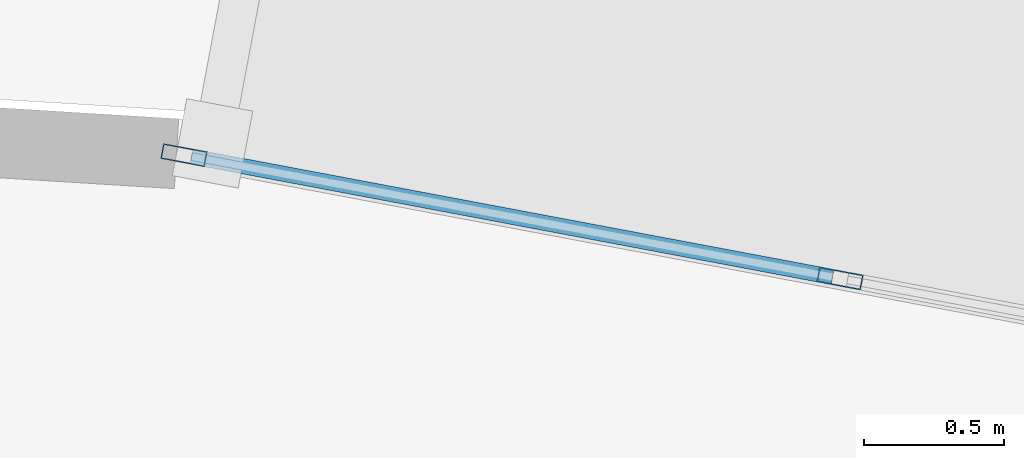
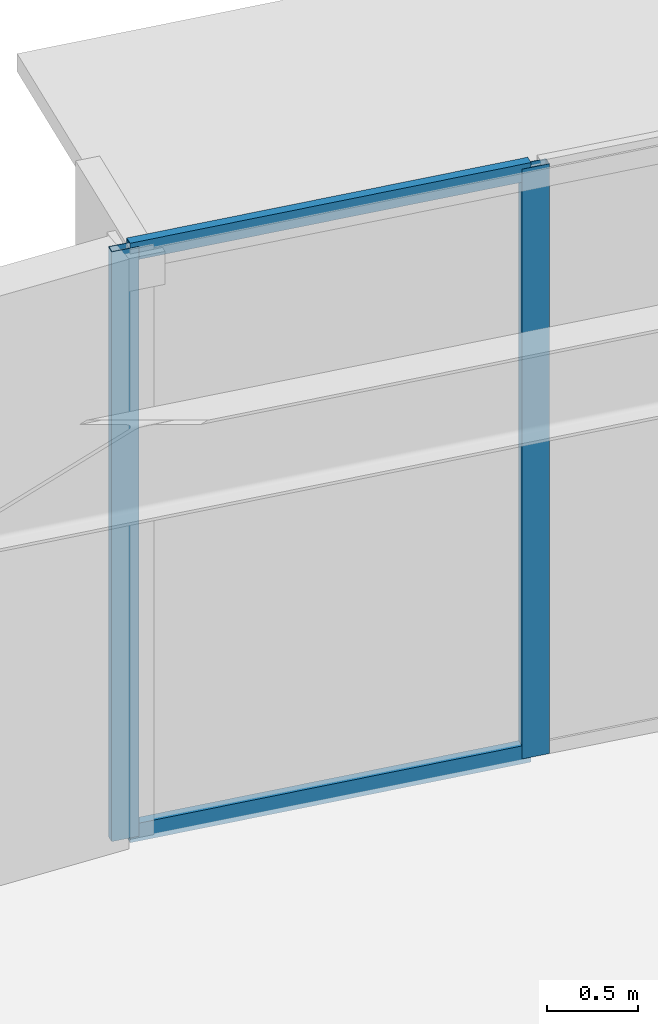
# One storey, part 14 of 35: 4 members, 1 element without a shape of its own.
"""IFC4 building model written with IfcOpenShell, lengths in metres."""

from ifc_helpers import new_model, si_unit, direction, frame, origin, origin_2d, place, context, subcontext, project, spatial, hollow_rectangle, extrude, source, transform, mapped, material, layer, layer_set, material_profile, profile_set, type_object, element, aggregate, save


model = new_model("IFC4")

# Units and contexts
model_context = context("Model", 3, precision=1e-05, world=origin(), true_north=direction((0.0, 1.0)))
body_context = subcontext(model_context, "Body", "Model", "MODEL_VIEW")
ifc_project = project(units=[si_unit("LENGTHUNIT", "METRE"), si_unit("AREAUNIT", "SQUARE_METRE"), si_unit("VOLUMEUNIT", "CUBIC_METRE"), si_unit("PLANEANGLEUNIT", "RADIAN"), si_unit("MASSUNIT", "GRAM", prefix="KILO")], contexts=[model_context])

# Site, building, storey
site_placement = place(None, origin())
site = spatial("IfcSite", under=ifc_project, at=site_placement, CompositionType="ELEMENT")
building_placement = place(site_placement, origin())
building = spatial("IfcBuilding", under=site, at=building_placement, Name="Linh Dai School and Residence Tower", CompositionType="ELEMENT")
storey_placement = place(building_placement, frame((0.0, 0.0, 32.39990234375)))
storey = spatial("IfcBuildingStorey", under=building, at=storey_placement, Name="L07", CompositionType="ELEMENT", Elevation=32.39990234375)

# Curtain wall, members
ifc_material_1 = material(Name="Aluminium Anodised Curtain Wall", Category="aluminium")
ifc_layer = layer(ifc_material_1, 0.159912109375)
ifc_layer_set = layer_set([ifc_layer], Name="Aluminium Anodised Curtain Wall")
curtain_wall_type = type_object("IfcCurtainWallType", Name="CW-SYS-3", PredefinedType="USERDEFINED", material=ifc_layer_set)
curtain_wall_placement = place(storey_placement, origin())
curtain_wall = element("IfcCurtainWall", 1, at=curtain_wall_placement, inside=storey, type_object=curtain_wall_type, Name="L07 CW3 Curtain Wall 09", ObjectType="RIBBON CURTAIN WALL", PredefinedType="USERDEFINED")
ifc_material_2 = material(Name="Aluminium Alloy 6063-T6", Category="aluminium")
ifc_material_profile_1 = material_profile(ifc_material_2, hollow_rectangle(XDim=0.054931640625, YDim=0.159912109375, WallThickness=0.00390625, at=origin_2d()), Name="RHS 160x55x4")
ifc_profile_set_1 = profile_set([ifc_material_profile_1], Name="Aluminium Alloy 6063-T6")
member_type_1 = type_object("IfcMemberType", Name="CW-SYS-3-MUL", PredefinedType="MULLION", material=ifc_profile_set_1)
shared_shape_1 = source(origin(), body_context, "Body", "SweptSolid", [
    extrude(hollow_rectangle(XDim=0.054931640625, YDim=0.159912109375, WallThickness=0.00390625, at=origin_2d()), origin(), (0.0, 0.0, 1.0), 3.9501953125),
])
member_1_placement = place(storey_placement, frame((40.892333984375, 51.0, 0.0), z_axis=(0.0, 0.0, 1.0), x_axis=(0.184747948944, 0.982785935675, 0.0)))
member_1 = element("IfcMember", 2, at=member_1_placement, type_object=member_type_1, Name="CW3 mullion 1", PredefinedType="MULLION", context=body_context, shape_type="MappedRepresentation", body=[
    mapped(shared_shape_1, transform((0.0, 0.0, 0.0), x_axis=(1.0, 0.0, 0.0), y_axis=(0.0, 1.0, 0.0), z_axis=(0.0, 0.0, 1.0), scale=1.0)),
])
member_2_placement = place(storey_placement, frame((43.238037109375, 50.55908203125, 0.0), z_axis=(0.0, 0.0, 1.0), x_axis=(0.184747948944, 0.982785935675, 0.0)))
member_2 = element("IfcMember", 3, at=member_2_placement, type_object=member_type_1, Name="CW3 mullion 2", PredefinedType="MULLION", context=body_context, shape_type="MappedRepresentation", body=[
    mapped(shared_shape_1, transform((0.0, 0.0, 0.0), x_axis=(1.0, 0.0, 0.0), y_axis=(0.0, 1.0, 0.0), z_axis=(0.0, 0.0, 1.0), scale=1.0)),
])
ifc_material_profile_2 = material_profile(ifc_material_2, hollow_rectangle(XDim=0.054931640625, YDim=0.1201171875, WallThickness=0.00390625, at=origin_2d()), Name="RHS 120x55x4")
ifc_profile_set_2 = profile_set([ifc_material_profile_2], Name="Aluminium Alloy 6063-T6")
member_type_2 = type_object("IfcMemberType", Name="CW-SYS-3-TRN", PredefinedType="USERDEFINED", material=ifc_profile_set_2)
shared_shape_2 = source(origin(), body_context, "Body", "SweptSolid", [
    extrude(hollow_rectangle(XDim=0.054931640625, YDim=0.1201171875, WallThickness=0.00390625, at=origin_2d()), origin(), (0.0, 0.0, 1.0), 2.331787109375),
])
member_3_placement = place(storey_placement, frame((40.91943359375, 50.9951171875, 0.027587890625), z_axis=(0.98277485102, -0.184806905183, 0.0), x_axis=(0.184806905183, 0.98277485102, 0.0)))
member_3 = element("IfcMember", 4, at=member_3_placement, type_object=member_type_2, Name="CW3 transom 1.1", ObjectType="TRANSOM", PredefinedType="USERDEFINED", context=body_context, shape_type="MappedRepresentation", body=[
    mapped(shared_shape_2, transform((0.0, 0.0, 0.0), x_axis=(1.0, 0.0, 0.0), y_axis=(0.0, 1.0, 0.0), z_axis=(0.0, 0.0, 1.0), scale=1.0)),
])
member_4_placement = place(storey_placement, frame((40.91943359375, 50.9951171875, 3.922607421875), z_axis=(0.98277485102, -0.184806905183, 0.0), x_axis=(0.184806905183, 0.98277485102, 0.0)))
member_4 = element("IfcMember", 5, at=member_4_placement, type_object=member_type_2, Name="CW3 transom 1.2", ObjectType="TRANSOM", PredefinedType="USERDEFINED", context=body_context, shape_type="MappedRepresentation", body=[
    mapped(shared_shape_2, transform((0.0, 0.0, 0.0), x_axis=(1.0, 0.0, 0.0), y_axis=(0.0, 1.0, 0.0), z_axis=(0.0, 0.0, 1.0), scale=1.0)),
])
aggregate(curtain_wall, [member_1, member_2, member_3, member_4])

save(model, "model.ifc")
